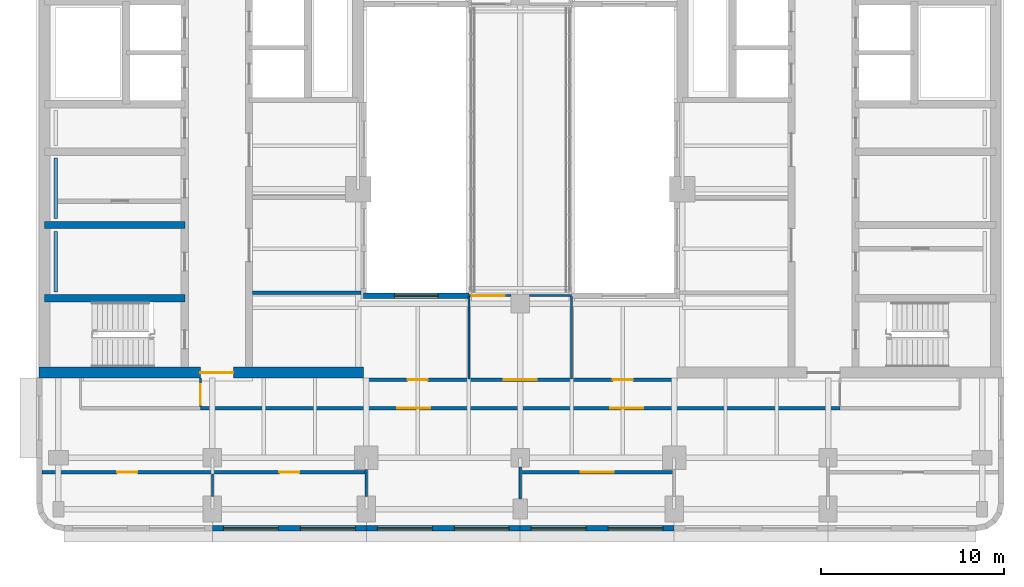
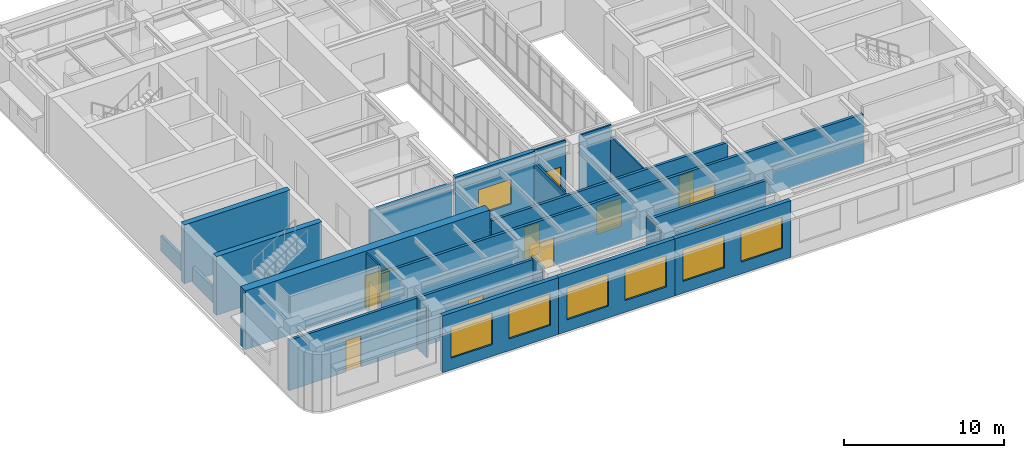
# One storey, part 6 of 14: 22 walls, 11 doors, 7 windows, 18 openings.
"""IFC4 building model written with IfcOpenShell, lengths in metres."""

import ifcopenshell
import ifcopenshell.guid

model = None  # the IFC model being written
_history = None  # IfcOwnerHistory: only IFC2X3 demands one
_inside = {}  # id of a spatial element -> (the spatial element, [elements in it])
_under = {}  # id of a project, library or spatial element -> (it, [spatial elements below it])
_declared = {}  # id of a project -> (the project, [libraries it declares])
_typed = {}  # id of a type object -> (the type object, [elements of that type])
_made_of = {}  # id of a material, layer set ... -> (it, [elements and type objects made of it])


def new_model(schema):
    """Start an empty IFC model of exactly this schema.

    Asked for "IFC4X3", IfcOpenShell would pick the latest addendum, in which some entities
    have other attributes; the version numbers below select the first issue.
    IFC2X3 requires an IfcOwnerHistory on every rooted entity: one is made here for all.
    """
    global model, _history
    if schema == "IFC4X3":
        model = ifcopenshell.file(schema_version=(4, 3, 0, 0))
    else:
        model = ifcopenshell.file(schema=schema)
    _inside.clear()
    _under.clear()
    _declared.clear()
    _typed.clear()
    _made_of.clear()
    _history = None
    if model.schema == "IFC2X3":
        org = make("IfcOrganization", Name="unknown")
        user = make(
            "IfcPersonAndOrganization",
            ThePerson=make("IfcPerson", FamilyName="unknown"),
            TheOrganization=org,
        )
        app = make(
            "IfcApplication",
            ApplicationDeveloper=org,
            Version="unknown",
            ApplicationFullName="unknown",
            ApplicationIdentifier="unknown",
        )
        _history = make(
            "IfcOwnerHistory",
            OwningUser=user,
            OwningApplication=app,
            ChangeAction="ADDED",
            CreationDate=0,
        )
    return model


def make(cls, **values):
    """One entity of the class cls with the attributes given. An attribute that is None is left unset."""
    return model.create_entity(
        cls, **{name: value for name, value in values.items() if value is not None}
    )


def rooted(cls, **values):
    """An entity with a GlobalId (a new one), such as an element, a storey or a relation."""
    return make(cls, GlobalId=ifcopenshell.guid.new(), OwnerHistory=_history, **values)


def si_unit(unit_type, name, prefix=None):
    """IfcSIUnit, for example si_unit("LENGTHUNIT", "METRE", prefix="MILLI")."""
    return make("IfcSIUnit", UnitType=unit_type, Prefix=prefix, Name=name)


def assignment(units):
    """IfcUnitAssignment: the units of a project."""
    return None if units is None else make("IfcUnitAssignment", Units=units)


def point(xyz):
    """IfcCartesianPoint."""
    return None if xyz is None else make("IfcCartesianPoint", Coordinates=xyz)


def direction(xyz):
    """IfcDirection."""
    return None if xyz is None else make("IfcDirection", DirectionRatios=xyz)


def frame(location, z_axis=None, x_axis=None):
    """IfcAxis2Placement3D, a coordinate frame: its origin and axes. An axis left out is left unset."""
    return make(
        "IfcAxis2Placement3D",
        Location=point(location),
        Axis=direction(z_axis),
        RefDirection=direction(x_axis),
    )


def frame_2d(location, x_axis=None):
    """IfcAxis2Placement2D, a coordinate frame in the plane: its origin and x axis."""
    return make(
        "IfcAxis2Placement2D", Location=point(location), RefDirection=direction(x_axis)
    )


def origin():
    """The frame at (0, 0, 0) with its axes left unset."""
    return frame((0.0, 0.0, 0.0))


def place(relative_to, where):
    """IfcLocalPlacement: puts the frame where relative to a parent placement (None: the world)."""
    return make(
        "IfcLocalPlacement", PlacementRelTo=relative_to, RelativePlacement=where
    )


def context(
    kind, dimensions, precision=None, world=None, true_north=None, identifier=None
):
    """IfcGeometricRepresentationContext, for example the 3D "Model" context."""
    return make(
        "IfcGeometricRepresentationContext",
        ContextIdentifier=identifier,
        ContextType=kind,
        CoordinateSpaceDimension=dimensions,
        Precision=precision,
        WorldCoordinateSystem=world,
        TrueNorth=true_north,
    )


def subcontext(parent, identifier, kind, view, scale=None):
    """IfcGeometricRepresentationSubContext, for example "Body" below "Model"."""
    return make(
        "IfcGeometricRepresentationSubContext",
        ContextIdentifier=identifier,
        ContextType=kind,
        ParentContext=parent,
        TargetScale=scale,
        TargetView=view,
    )


def project(units=None, contexts=None):
    """IfcProject with its units and contexts."""
    return rooted(
        "IfcProject",
        Name="project",
        RepresentationContexts=contexts,
        UnitsInContext=assignment(units),
    )


def spatial(cls, under=None, at=None, **own):
    """A site, building, storey or space (cls), placed at a placement, below another one or the project."""
    s = rooted(cls, ObjectPlacement=at, **own)
    if under is not None:
        _under.setdefault(under.id(), (under, []))[1].append(s)
    return s


def profile(cls, at=None, kind="AREA", **sizes):
    """A parametric profile (cls). Its sizes go by their IFC names, for example OverallWidth=200.0."""
    return make(cls, ProfileType=kind, Position=at, **sizes)


def rectangle(**sizes):
    """IfcRectangleProfileDef."""
    return profile("IfcRectangleProfileDef", **sizes)


def extrude(swept, where, along, depth):
    """IfcExtrudedAreaSolid: the profile swept, set in the frame where, extruded along a direction by depth."""
    return make(
        "IfcExtrudedAreaSolid",
        SweptArea=swept,
        Position=where,
        ExtrudedDirection=direction(along),
        Depth=depth,
    )


def shape(context_of_items, identifier, shape_type, items):
    """IfcShapeRepresentation: the items that make up one representation, for example the "Body"."""
    return make(
        "IfcShapeRepresentation",
        ContextOfItems=context_of_items,
        RepresentationIdentifier=identifier,
        RepresentationType=shape_type,
        Items=items,
    )


def material(Name=None, Category=None):
    """IfcMaterial."""
    return make("IfcMaterial", Name=Name, Category=Category)


def layer(
    of_material, thickness, ventilated=None, Name=None, Category=None, Priority=None
):
    """IfcMaterialLayer: one layer of a wall or slab, of a material (None: an air gap)."""
    return make(
        "IfcMaterialLayer",
        Material=of_material,
        LayerThickness=thickness,
        IsVentilated=ventilated,
        Name=Name,
        Category=Category,
        Priority=Priority,
    )


def layer_set(layers, Name=None):
    """IfcMaterialLayerSet."""
    return make("IfcMaterialLayerSet", MaterialLayers=layers, LayerSetName=Name)


def made_of(thing, what):
    """Note that an element or type object is made of a material, layer set ...; save() writes the relation."""
    if what is not None:
        _made_of.setdefault(what.id(), (what, []))[1].append(thing)
    return thing


def type_object(cls, material=None, **own):
    """A type object (cls), such as IfcWallType, which elements share."""
    return made_of(rooted(cls, **own), material)


def element(
    cls,
    number,
    at=None,
    inside=None,
    cuts=None,
    type_object=None,
    material=None,
    context=None,
    identifier="Body",
    shape_type=None,
    held_by="IfcProductDefinitionShape",
    body=None,
    shapes=None,
    **own,
):
    """One element of the class cls, such as IfcWall. Its Tag is "e" and its number.

    at: its placement. inside: the storey or other place that contains it. cuts: it is an
    opening in that element (IfcRelVoidsElement). A single representation is given by context,
    identifier, shape_type and body (its items); several are given by shapes. held_by: the class
    of the entity that holds the representations. save() writes the other relations.
    """
    e = rooted(cls, Tag="e%d" % number, ObjectPlacement=at, **own)
    if body is not None:
        shapes = [shape(context, identifier, shape_type, body)]
    if shapes is not None:
        e.Representation = make(held_by, Representations=shapes)
    if inside is not None:
        _inside.setdefault(inside.id(), (inside, []))[1].append(e)
    if cuts is not None:
        rooted(
            "IfcRelVoidsElement", RelatingBuildingElement=cuts, RelatedOpeningElement=e
        )
    if type_object is not None:
        _typed.setdefault(type_object.id(), (type_object, []))[1].append(e)
    return made_of(e, material)


def fill(opening, filler):
    """IfcRelFillsElement: the door or window that sits in an opening."""
    return rooted(
        "IfcRelFillsElement",
        RelatingOpeningElement=opening,
        RelatedBuildingElement=filler,
    )


def aggregate(whole, parts):
    """IfcRelAggregates: a whole, such as a stair, and the parts it consists of."""
    return rooted("IfcRelAggregates", RelatingObject=whole, RelatedObjects=parts)


def save(model, path):
    """Write the relations noted so far, then the file.

    IfcRelAggregates (storeys below a building ...), IfcRelContainedInSpatialStructure (elements
    in a storey), IfcRelDefinesByType, IfcRelAssociatesMaterial and IfcRelDeclares: one each for
    every whole, place, type object, material and project.
    """
    for whole, parts in _under.values():
        aggregate(whole, parts)
    for where, things in _inside.values():
        rooted(
            "IfcRelContainedInSpatialStructure",
            RelatedElements=things,
            RelatingStructure=where,
        )
    for kind, things in _typed.values():
        rooted("IfcRelDefinesByType", RelatedObjects=things, RelatingType=kind)
    for what, things in _made_of.values():
        rooted("IfcRelAssociatesMaterial", RelatedObjects=things, RelatingMaterial=what)
    for by, libraries in _declared.values():
        rooted("IfcRelDeclares", RelatingContext=by, RelatedDefinitions=libraries)
    model.write(path)


model = new_model("IFC4")

# Units and contexts
model_context = context("Model", 3, precision=1e-05, world=origin(), true_north=direction((0.0, 1.0)))
body_context = subcontext(model_context, "Body", "Model", "MODEL_VIEW")
ifc_project = project(units=[si_unit("LENGTHUNIT", "METRE"), si_unit("AREAUNIT", "SQUARE_METRE"), si_unit("VOLUMEUNIT", "CUBIC_METRE"), si_unit("PLANEANGLEUNIT", "RADIAN"), si_unit("MASSUNIT", "GRAM", prefix="KILO")], contexts=[model_context])

# Site, building, storey
site_placement = place(None, origin())
site = spatial("IfcSite", under=ifc_project, at=site_placement, CompositionType="ELEMENT")
building_placement = place(site_placement, origin())
building = spatial("IfcBuilding", under=site, at=building_placement, Name="Claustro Exchange Tower", CompositionType="ELEMENT")
storey_placement = place(building_placement, frame((0.0, 0.0, 250.199951171875)))
storey = spatial("IfcBuildingStorey", under=building, at=storey_placement, Name="L57", CompositionType="ELEMENT", Elevation=250.199951171875)

# Wall, opening, door
ifc_material_1 = material(Name="Aluminium frame, clear double glazing", Category="aluminium")
ifc_layer_1 = layer(ifc_material_1, 0.1201171875)
ifc_layer_set_1 = layer_set([ifc_layer_1], Name="Aluminium frame, clear double glazing")
wall_type_1 = type_object("IfcWallType", Name="GS2 120 glazed bridge screen", PredefinedType="SOLIDWALL", material=ifc_layer_set_1)
wall_1_placement = place(storey_placement, frame((22.39990234375, 17.25, 0.0), z_axis=(0.0, 0.0, 1.0), x_axis=(1.0, 0.0, 0.0)))
wall_1 = element("IfcWall", 1, at=wall_1_placement, inside=storey, type_object=wall_type_1, Name="Bridge screen GS2 L57", PredefinedType="SOLIDWALL", context=body_context, shape_type="SweptSolid", body=[
    extrude(rectangle(XDim=2.300048828125, YDim=0.1201171875, at=frame_2d((1.14990234375, 0.0))), origin(), (0.0, 0.0, 1.0), 4.35009765625),
])
opening_1_placement = place(wall_1_placement, frame((0.14990234375, 0.0, 0.0)))
opening_1 = element("IfcOpeningElement", 2, at=opening_1_placement, cuts=wall_1, Name="Opening DE4", PredefinedType="OPENING", context=body_context, shape_type="SweptSolid", body=[
    extrude(rectangle(XDim=1.800048828125, YDim=2.39990234375, at=frame_2d((0.89990234375, 1.199951171875))), frame((0.0, 0.070068359375, 0.0), z_axis=(0.0, -1.0, 0.0), x_axis=(1.0, 0.0, 0.0)), (0.0, 0.0, 1.0), 0.14013671875),
])
ifc_material_2 = material(Name="Aluminium frame, clear double glazing", Category="aluminium")
door_type_1 = type_object("IfcDoorType", Name="DE4 1800 x 2400 sky bridge glazed double door", OperationType="DOUBLE_DOOR_SINGLE_SWING", PredefinedType="DOOR", material=ifc_material_2)
door_1_placement = place(opening_1_placement, origin())
door_1 = element("IfcDoor", 3, at=door_1_placement, inside=storey, type_object=door_type_1, Name="Sky bridge door DE4 L57", OperationType="DOUBLE_DOOR_SINGLE_SWING", OverallHeight=2.39990234375, OverallWidth=1.800048828125, PredefinedType="DOOR", context=body_context, shape_type="SweptSolid", body=[
    extrude(rectangle(XDim=1.800048828125, YDim=2.39990234375, at=frame_2d((0.89990234375, 1.199951171875))), frame((0.0, 0.02490234375, 0.0), z_axis=(0.0, -1.0, 0.0), x_axis=(1.0, 0.0, 0.0)), (0.0, 0.0, 1.0), 0.050048828125),
])
fill(opening_1, door_1)

# Walls
wall_2_placement = place(storey_placement, frame((25.699951171875, 17.25, 0.0), z_axis=(0.0, 0.0, 1.0), x_axis=(1.0, 0.0, 0.0)))
element("IfcWall", 4, at=wall_2_placement, inside=storey, type_object=wall_type_1, Name="Bridge screen GS2 L57", PredefinedType="SOLIDWALL", context=body_context, shape_type="SweptSolid", body=[
    extrude(rectangle(XDim=2.300048828125, YDim=0.1201171875, at=frame_2d((1.14990234375, 0.0))), origin(), (0.0, 0.0, 1.0), 4.35009765625),
])
ifc_material_3 = material(Name="Laminated glass in aluminium frame", Category="aluminium")
ifc_layer_2 = layer(ifc_material_3, 0.1201171875)
ifc_layer_set_2 = layer_set([ifc_layer_2], Name="Laminated glass in aluminium frame")
wall_type_2 = type_object("IfcWallType", Name="P2 120 glazed partition", PredefinedType="PARTITIONING", material=ifc_layer_set_2)
wall_3_placement = place(storey_placement, frame((8.39990234375, 6.299072265625, 0.0), z_axis=(0.0, 0.0, 1.0), x_axis=(0.0, 1.0, 0.0)))
element("IfcWall", 5, at=wall_3_placement, inside=storey, type_object=wall_type_2, Name="Partition P2 L57", PredefinedType="PARTITIONING", context=body_context, shape_type="SweptSolid", body=[
    extrude(rectangle(XDim=1.202880859375, YDim=0.1201171875, at=frame_2d((0.6015625, 0.0))), origin(), (0.0, 0.0, 1.0), 3.989990234375),
])
wall_4_placement = place(storey_placement, frame((16.800048828125, 6.299072265625, 0.0), z_axis=(0.0, 0.0, 1.0), x_axis=(0.0, 1.0, 0.0)))
element("IfcWall", 6, at=wall_4_placement, inside=storey, type_object=wall_type_2, Name="Partition P2 L57", PredefinedType="PARTITIONING", context=body_context, shape_type="SweptSolid", body=[
    extrude(rectangle(XDim=1.452880859375, YDim=0.1201171875, at=frame_2d((0.7265625, 0.0))), origin(), (0.0, 0.0, 1.0), 3.989990234375),
])
wall_5_placement = place(storey_placement, frame((25.199951171875, 6.14892578125, 0.0), z_axis=(0.0, 0.0, 1.0), x_axis=(0.0, 1.0, 0.0)))
element("IfcWall", 7, at=wall_5_placement, inside=storey, type_object=wall_type_2, Name="Partition P2 L57", PredefinedType="PARTITIONING", context=body_context, shape_type="SweptSolid", body=[
    extrude(rectangle(XDim=1.753173828125, YDim=0.1201171875, at=frame_2d((0.87646484375, 0.0))), origin(), (0.0, 0.0, 1.0), 3.989990234375),
])

# Wall, opening, door
wall_6_placement = place(storey_placement, frame((7.75, 11.197998046875, 0.0), z_axis=(0.0, 0.0, 1.0), x_axis=(0.0, 1.0, 0.0)))
wall_6 = element("IfcWall", 8, at=wall_6_placement, inside=storey, type_object=wall_type_2, Name="Partition P2 L57", PredefinedType="PARTITIONING", context=body_context, shape_type="SweptSolid", body=[
    extrude(rectangle(XDim=1.553955078125, YDim=0.1201171875, at=frame_2d((0.77685546875, 0.0))), origin(), (0.0, 0.0, 1.0), 4.35009765625),
])
opening_2_placement = place(wall_6_placement, frame((0.10205078125, 0.0, 0.0)))
opening_2 = element("IfcOpeningElement", 9, at=opening_2_placement, cuts=wall_6, Name="Opening D8", PredefinedType="OPENING", context=body_context, shape_type="SweptSolid", body=[
    extrude(rectangle(XDim=1.10009765625, YDim=2.39990234375, at=frame_2d((0.550048828125, 1.199951171875))), frame((0.0, 0.070068359375, 0.0), z_axis=(0.0, -1.0, 0.0), x_axis=(1.0, 0.0, 0.0)), (0.0, 0.0, 1.0), 0.14013671875),
])
ifc_material_4 = material(Name="Timber door, walnut veneer", Category="wood")
door_type_2 = type_object("IfcDoorType", Name="D8 1100 x 2400 executive door", OperationType="SINGLE_SWING_LEFT", PredefinedType="DOOR", material=ifc_material_4)
door_2_placement = place(opening_2_placement, origin())
door_2 = element("IfcDoor", 10, at=door_2_placement, inside=storey, type_object=door_type_2, Name="Door D8 L57", OperationType="SINGLE_SWING_RIGHT", OverallHeight=2.39990234375, OverallWidth=1.10009765625, PredefinedType="DOOR", context=body_context, shape_type="SweptSolid", body=[
    extrude(rectangle(XDim=1.10009765625, YDim=2.39990234375, at=frame_2d((0.550048828125, 1.199951171875))), frame((0.0, 0.02490234375, 0.0), z_axis=(0.0, -1.0, 0.0), x_axis=(1.0, 0.0, 0.0)), (0.0, 0.0, 1.0), 0.050048828125),
])
fill(opening_2, door_2)

# Walls
for number, where, z_axis, x_axis, name in (
    (11, (22.39990234375, 12.697998046875, 0.0), (0.0, 0.0, 1.0), (0.0, 1.0, 0.0), "Partition P2 L57"),
    (12, (28.0, 12.697998046875, 0.0), (0.0, 0.0, 1.0), (0.0, 1.0, 0.0), "Partition P2 L57"),
):
    element("IfcWall", number, at=place(storey_placement, frame(where, z_axis=z_axis, x_axis=x_axis)), inside=storey, type_object=wall_type_2, Name=name, PredefinedType="PARTITIONING", context=body_context, shape_type="SweptSolid", body=[
        extrude(rectangle(XDim=4.493896484375, YDim=0.1201171875, at=frame_2d((2.2470703125, 0.0))), origin(), (0.0, 0.0, 1.0), 3.5),
    ])
ifc_material_5 = material(Name="Twin-skin gypsum board on steel studs, mineral wool", Category="steel")
ifc_layer_3 = layer(ifc_material_5, 0.199951171875)
ifc_layer_set_3 = layer_set([ifc_layer_3], Name="Twin-skin gypsum board on steel studs, mineral wool")
wall_type_3 = type_object("IfcWallType", Name="P3 200 acoustic partition", PredefinedType="PARTITIONING", material=ifc_layer_set_3)
wall_7_placement = place(storey_placement, frame((10.597900390625, 17.39990234375, 0.0), z_axis=(0.0, 0.0, 1.0), x_axis=(1.0, 0.0, 0.0)))
element("IfcWall", 13, at=wall_7_placement, inside=storey, type_object=wall_type_3, Name="Partition P3 L57", PredefinedType="PARTITIONING", context=body_context, shape_type="SweptSolid", body=[
    extrude(rectangle(XDim=5.904052734375, YDim=0.199951171875, at=frame_2d((2.9521484375, 0.0))), origin(), (0.0, 0.0, 1.0), 3.800048828125),
])

# Wall, openings, doors
wall_8_placement = place(storey_placement, frame((-0.902099609375, 7.60009765625, 0.0), z_axis=(0.0, 0.0, 1.0), x_axis=(1.0, 0.0, 0.0)))
wall_8 = element("IfcWall", 14, at=wall_8_placement, inside=storey, type_object=wall_type_3, Name="Partition P3 L57", PredefinedType="PARTITIONING", context=body_context, shape_type="SweptSolid", body=[
    extrude(rectangle(XDim=17.7021484375, YDim=0.199951171875, at=frame_2d((8.85107421875, 0.0))), origin(), (0.0, 0.0, 1.0), 3.860107421875),
])
opening_3_placement = place(wall_8_placement, frame((4.10205078125, 0.0, 0.0)))
opening_3 = element("IfcOpeningElement", 15, at=opening_3_placement, cuts=wall_8, Name="Opening D8", PredefinedType="OPENING", context=body_context, shape_type="SweptSolid", body=[
    extrude(rectangle(XDim=1.10009765625, YDim=2.39990234375, at=frame_2d((0.550048828125, 1.199951171875))), frame((0.0, 0.10986328125, 0.0), z_axis=(0.0, -1.0, 0.0), x_axis=(1.0, 0.0, 0.0)), (0.0, 0.0, 1.0), 0.219970703125),
])
opening_4_placement = place(wall_8_placement, frame((12.951904296875, 0.0, 0.0)))
opening_4 = element("IfcOpeningElement", 16, at=opening_4_placement, cuts=wall_8, Name="Opening D8", PredefinedType="OPENING", context=body_context, shape_type="SweptSolid", body=[
    extrude(rectangle(XDim=1.10009765625, YDim=2.39990234375, at=frame_2d((0.550048828125, 1.199951171875))), frame((0.0, 0.10986328125, 0.0), z_axis=(0.0, -1.0, 0.0), x_axis=(1.0, 0.0, 0.0)), (0.0, 0.0, 1.0), 0.219970703125),
])
door_3_placement = place(opening_3_placement, frame((1.10009765625, 0.0, 0.0), z_axis=(0.0, 0.0, 1.0), x_axis=(-1.0, 0.0, 0.0)))
door_3 = element("IfcDoor", 17, at=door_3_placement, inside=storey, type_object=door_type_2, Name="Door D8 L57", OperationType="SINGLE_SWING_LEFT", OverallHeight=2.39990234375, OverallWidth=1.10009765625, PredefinedType="DOOR", context=body_context, shape_type="SweptSolid", body=[
    extrude(rectangle(XDim=1.10009765625, YDim=2.39990234375, at=frame_2d((0.550048828125, 1.199951171875))), frame((0.0, 0.02490234375, 0.0), z_axis=(0.0, -1.0, 0.0), x_axis=(1.0, 0.0, 0.0)), (0.0, 0.0, 1.0), 0.050048828125),
])
fill(opening_3, door_3)
door_4_placement = place(opening_4_placement, frame((1.10009765625, 0.0, 0.0), z_axis=(0.0, 0.0, 1.0), x_axis=(-1.0, 0.0, 0.0)))
door_4 = element("IfcDoor", 18, at=door_4_placement, inside=storey, type_object=door_type_2, Name="Door D8 L57", OperationType="SINGLE_SWING_RIGHT", OverallHeight=2.39990234375, OverallWidth=1.10009765625, PredefinedType="DOOR", context=body_context, shape_type="SweptSolid", body=[
    extrude(rectangle(XDim=1.10009765625, YDim=2.39990234375, at=frame_2d((0.550048828125, 1.199951171875))), frame((0.0, 0.02490234375, 0.0), z_axis=(0.0, -1.0, 0.0), x_axis=(1.0, 0.0, 0.0)), (0.0, 0.0, 1.0), 0.050048828125),
])
fill(opening_4, door_4)

# Wall, opening, door
wall_9_placement = place(storey_placement, frame((25.199951171875, 7.60009765625, 0.0), z_axis=(0.0, 0.0, 1.0), x_axis=(1.0, 0.0, 0.0)))
wall_9 = element("IfcWall", 19, at=wall_9_placement, inside=storey, type_object=wall_type_3, Name="Partition P3 L57", PredefinedType="PARTITIONING", context=body_context, shape_type="SweptSolid", body=[
    extrude(rectangle(XDim=8.400146484375, YDim=0.199951171875, at=frame_2d((4.2001953125, 0.0))), origin(), (0.0, 0.0, 1.0), 3.989990234375),
])
opening_5_placement = place(wall_9_placement, frame((3.300048828125, 0.0, 0.0)))
opening_5 = element("IfcOpeningElement", 20, at=opening_5_placement, cuts=wall_9, Name="Opening D2", PredefinedType="OPENING", context=body_context, shape_type="SweptSolid", body=[
    extrude(rectangle(XDim=1.800048828125, YDim=2.199951171875, at=frame_2d((0.89990234375, 1.10009765625))), frame((0.0, 0.10986328125, 0.0), z_axis=(0.0, -1.0, 0.0), x_axis=(1.0, 0.0, 0.0)), (0.0, 0.0, 1.0), 0.219970703125),
])
ifc_material_6 = material(Name="Timber door, oak veneer", Category="wood")
door_type_3 = type_object("IfcDoorType", Name="D2 1800 x 2200 double door", OperationType="DOUBLE_DOOR_SINGLE_SWING", PredefinedType="DOOR", material=ifc_material_6)
door_5_placement = place(opening_5_placement, frame((1.800048828125, 0.0, 0.0), z_axis=(0.0, 0.0, 1.0), x_axis=(-1.0, 0.0, 0.0)))
door_5 = element("IfcDoor", 21, at=door_5_placement, inside=storey, type_object=door_type_3, Name="Double door D2 L57", OperationType="DOUBLE_DOOR_SINGLE_SWING", OverallHeight=2.199951171875, OverallWidth=1.800048828125, PredefinedType="DOOR", context=body_context, shape_type="SweptSolid", body=[
    extrude(rectangle(XDim=1.800048828125, YDim=2.199951171875, at=frame_2d((0.89990234375, 1.10009765625))), frame((0.0, 0.02490234375, 0.0), z_axis=(0.0, -1.0, 0.0), x_axis=(1.0, 0.0, 0.0)), (0.0, 0.0, 1.0), 0.050048828125),
])
fill(opening_5, door_5)

# Wall, openings, doors
wall_10_placement = place(storey_placement, frame((7.748046875, 11.10009765625, 0.0), z_axis=(0.0, 0.0, 1.0), x_axis=(1.0, 0.0, 0.0)))
wall_10 = element("IfcWall", 22, at=wall_10_placement, inside=storey, type_object=wall_type_3, Name="Partition P3 L57", PredefinedType="PARTITIONING", context=body_context, shape_type="SweptSolid", body=[
    extrude(rectangle(XDim=34.904052734375, YDim=0.199951171875, at=frame_2d((17.4521484375, 0.0))), origin(), (0.0, 0.0, 1.0), 3.800048828125),
])
opening_6_placement = place(wall_10_placement, frame((10.7353515625, 0.0, 0.0)))
opening_6 = element("IfcOpeningElement", 23, at=opening_6_placement, cuts=wall_10, Name="Opening D2", PredefinedType="OPENING", context=body_context, shape_type="SweptSolid", body=[
    extrude(rectangle(XDim=1.800048828125, YDim=2.199951171875, at=frame_2d((0.89990234375, 1.10009765625))), frame((0.0, 0.10986328125, 0.0), z_axis=(0.0, -1.0, 0.0), x_axis=(1.0, 0.0, 0.0)), (0.0, 0.0, 1.0), 0.219970703125),
])
opening_7_placement = place(wall_10_placement, frame((22.36865234375, 0.0, 0.0)))
opening_7 = element("IfcOpeningElement", 24, at=opening_7_placement, cuts=wall_10, Name="Opening D2", PredefinedType="OPENING", context=body_context, shape_type="SweptSolid", body=[
    extrude(rectangle(XDim=1.800048828125, YDim=2.199951171875, at=frame_2d((0.89990234375, 1.10009765625))), frame((0.0, 0.10986328125, 0.0), z_axis=(0.0, -1.0, 0.0), x_axis=(1.0, 0.0, 0.0)), (0.0, 0.0, 1.0), 0.219970703125),
])
door_6_placement = place(opening_6_placement, origin())
door_6 = element("IfcDoor", 25, at=door_6_placement, inside=storey, type_object=door_type_3, Name="Double door D2 L57", OperationType="DOUBLE_DOOR_SINGLE_SWING", OverallHeight=2.199951171875, OverallWidth=1.800048828125, PredefinedType="DOOR", context=body_context, shape_type="SweptSolid", body=[
    extrude(rectangle(XDim=1.800048828125, YDim=2.199951171875, at=frame_2d((0.89990234375, 1.10009765625))), frame((0.0, 0.02490234375, 0.0), z_axis=(0.0, -1.0, 0.0), x_axis=(1.0, 0.0, 0.0)), (0.0, 0.0, 1.0), 0.050048828125),
])
fill(opening_6, door_6)
door_7_placement = place(opening_7_placement, origin())
door_7 = element("IfcDoor", 26, at=door_7_placement, inside=storey, type_object=door_type_3, Name="Double door D2 L57", OperationType="DOUBLE_DOOR_SINGLE_SWING", OverallHeight=2.199951171875, OverallWidth=1.800048828125, PredefinedType="DOOR", context=body_context, shape_type="SweptSolid", body=[
    extrude(rectangle(XDim=1.800048828125, YDim=2.199951171875, at=frame_2d((0.89990234375, 1.10009765625))), frame((0.0, 0.02490234375, 0.0), z_axis=(0.0, -1.0, 0.0), x_axis=(1.0, 0.0, 0.0)), (0.0, 0.0, 1.0), 0.050048828125),
])
fill(opening_7, door_7)

wall_11_placement = place(storey_placement, frame((16.64990234375, 12.64990234375, 0.0), z_axis=(0.0, 0.0, 1.0), x_axis=(1.0, 0.0, 0.0)))
wall_11 = element("IfcWall", 27, at=wall_11_placement, inside=storey, type_object=wall_type_3, Name="Partition P3 L57", PredefinedType="PARTITIONING", context=body_context, shape_type="SweptSolid", body=[
    extrude(rectangle(XDim=17.10009765625, YDim=0.199951171875, at=frame_2d((8.550048828125, 0.0))), origin(), (0.0, 0.0, 1.0), 3.800048828125),
])
opening_8_placement = place(wall_11_placement, frame((2.400390625, 0.0, 0.0)))
opening_8 = element("IfcOpeningElement", 28, at=opening_8_placement, cuts=wall_11, Name="Opening D8", PredefinedType="OPENING", context=body_context, shape_type="SweptSolid", body=[
    extrude(rectangle(XDim=1.10009765625, YDim=2.39990234375, at=frame_2d((0.550048828125, 1.199951171875))), frame((0.0, 0.10986328125, 0.0), z_axis=(0.0, -1.0, 0.0), x_axis=(1.0, 0.0, 0.0)), (0.0, 0.0, 1.0), 0.219970703125),
])
opening_9_placement = place(wall_11_placement, frame((7.650146484375, 0.0, 0.0)))
opening_9 = element("IfcOpeningElement", 29, at=opening_9_placement, cuts=wall_11, Name="Opening D2", PredefinedType="OPENING", context=body_context, shape_type="SweptSolid", body=[
    extrude(rectangle(XDim=1.800048828125, YDim=2.199951171875, at=frame_2d((0.89990234375, 1.10009765625))), frame((0.0, 0.10986328125, 0.0), z_axis=(0.0, -1.0, 0.0), x_axis=(1.0, 0.0, 0.0)), (0.0, 0.0, 1.0), 0.219970703125),
])
opening_10_placement = place(wall_11_placement, frame((13.60009765625, 0.0, 0.0)))
opening_10 = element("IfcOpeningElement", 30, at=opening_10_placement, cuts=wall_11, Name="Opening D8", PredefinedType="OPENING", context=body_context, shape_type="SweptSolid", body=[
    extrude(rectangle(XDim=1.10009765625, YDim=2.39990234375, at=frame_2d((0.550048828125, 1.199951171875))), frame((0.0, 0.10986328125, 0.0), z_axis=(0.0, -1.0, 0.0), x_axis=(1.0, 0.0, 0.0)), (0.0, 0.0, 1.0), 0.219970703125),
])
door_8_placement = place(opening_9_placement, origin())
door_8 = element("IfcDoor", 31, at=door_8_placement, inside=storey, type_object=door_type_3, Name="Double door D2 L57", OperationType="DOUBLE_DOOR_SINGLE_SWING", OverallHeight=2.199951171875, OverallWidth=1.800048828125, PredefinedType="DOOR", context=body_context, shape_type="SweptSolid", body=[
    extrude(rectangle(XDim=1.800048828125, YDim=2.199951171875, at=frame_2d((0.89990234375, 1.10009765625))), frame((0.0, 0.02490234375, 0.0), z_axis=(0.0, -1.0, 0.0), x_axis=(1.0, 0.0, 0.0)), (0.0, 0.0, 1.0), 0.050048828125),
])
fill(opening_9, door_8)
door_9_placement = place(opening_8_placement, frame((1.10009765625, 0.0, 0.0), z_axis=(0.0, 0.0, 1.0), x_axis=(-1.0, 0.0, 0.0)))
door_9 = element("IfcDoor", 32, at=door_9_placement, inside=storey, type_object=door_type_2, Name="Door D8 L57", OperationType="SINGLE_SWING_RIGHT", OverallHeight=2.39990234375, OverallWidth=1.10009765625, PredefinedType="DOOR", context=body_context, shape_type="SweptSolid", body=[
    extrude(rectangle(XDim=1.10009765625, YDim=2.39990234375, at=frame_2d((0.550048828125, 1.199951171875))), frame((0.0, 0.02490234375, 0.0), z_axis=(0.0, -1.0, 0.0), x_axis=(1.0, 0.0, 0.0)), (0.0, 0.0, 1.0), 0.050048828125),
])
fill(opening_8, door_9)
door_10_placement = place(opening_10_placement, origin())
door_10 = element("IfcDoor", 33, at=door_10_placement, inside=storey, type_object=door_type_2, Name="Door D8 L57", OperationType="SINGLE_SWING_RIGHT", OverallHeight=2.39990234375, OverallWidth=1.10009765625, PredefinedType="DOOR", context=body_context, shape_type="SweptSolid", body=[
    extrude(rectangle(XDim=1.10009765625, YDim=2.39990234375, at=frame_2d((0.550048828125, 1.199951171875))), frame((0.0, 0.02490234375, 0.0), z_axis=(0.0, -1.0, 0.0), x_axis=(1.0, 0.0, 0.0)), (0.0, 0.0, 1.0), 0.050048828125),
])
fill(opening_10, door_10)

# Wall, openings, windows
ifc_material_7 = material(Name="Concrete HA-40 (C40/50), precast, white cement, acid-etched", Category="concrete")
ifc_layer_4 = layer(ifc_material_7, 0.300048828125)
ifc_layer_set_4 = layer_set([ifc_layer_4], Name="Concrete HA-40 (C40/50), precast, white cement, acid-etched")
wall_type_4 = type_object("IfcWallType", Name="PC1 300 precast concrete pier panel", PredefinedType="SOLIDWALL", material=ifc_layer_set_4)
wall_12_placement = place(storey_placement, frame((33.60009765625, 4.550048828125, 0.0), z_axis=(0.0, 0.0, 1.0), x_axis=(-1.0, 0.0, 0.0)))
wall_12 = element("IfcWall", 34, at=wall_12_placement, inside=storey, type_object=wall_type_4, Name="Precast pier panel PC1 L57", PredefinedType="SOLIDWALL", context=body_context, shape_type="SweptSolid", body=[
    extrude(rectangle(XDim=8.400146484375, YDim=0.300048828125, at=frame_2d((4.2001953125, 0.0))), origin(), (0.0, 0.0, 1.0), 4.35009765625),
])
opening_11_placement = place(wall_12_placement, frame((0.60009765625, 0.0, 0.89990234375)))
opening_11 = element("IfcOpeningElement", 35, at=opening_11_placement, cuts=wall_12, Name="Opening W3", PredefinedType="OPENING", context=body_context, shape_type="SweptSolid", body=[
    extrude(rectangle(XDim=3.0, YDim=2.39990234375, at=frame_2d((1.5, 1.199951171875))), frame((0.0, 0.159912109375, 0.0), z_axis=(0.0, -1.0, 0.0), x_axis=(1.0, 0.0, 0.0)), (0.0, 0.0, 1.0), 0.320068359375),
])
opening_12_placement = place(wall_12_placement, frame((4.800048828125, 0.0, 0.89990234375)))
opening_12 = element("IfcOpeningElement", 36, at=opening_12_placement, cuts=wall_12, Name="Opening W3", PredefinedType="OPENING", context=body_context, shape_type="SweptSolid", body=[
    extrude(rectangle(XDim=3.0, YDim=2.39990234375, at=frame_2d((1.5, 1.199951171875))), frame((0.0, 0.159912109375, 0.0), z_axis=(0.0, -1.0, 0.0), x_axis=(1.0, 0.0, 0.0)), (0.0, 0.0, 1.0), 0.320068359375),
])
ifc_material_8 = material(Name="Aluminium frame, clear double glazing", Category="aluminium")
window_type_1 = type_object("IfcWindowType", Name="W3 3000 x 2400 window", PartitioningType="SINGLE_PANEL", PredefinedType="WINDOW", material=ifc_material_8)
window_1_placement = place(opening_11_placement, origin())
window_1 = element("IfcWindow", 37, at=window_1_placement, inside=storey, type_object=window_type_1, Name="Window W3 L57", OverallHeight=2.39990234375, OverallWidth=3.0, PartitioningType="SINGLE_PANEL", PredefinedType="WINDOW", context=body_context, shape_type="SweptSolid", body=[
    extrude(rectangle(XDim=3.0, YDim=2.39990234375, at=frame_2d((1.5, 1.199951171875))), frame((0.0, 0.030029296875, 0.0), z_axis=(0.0, -1.0, 0.0), x_axis=(1.0, 0.0, 0.0)), (0.0, 0.0, 1.0), 0.06005859375),
])
fill(opening_11, window_1)
window_2_placement = place(opening_12_placement, origin())
window_2 = element("IfcWindow", 38, at=window_2_placement, inside=storey, type_object=window_type_1, Name="Window W3 L57", OverallHeight=2.39990234375, OverallWidth=3.0, PartitioningType="SINGLE_PANEL", PredefinedType="WINDOW", context=body_context, shape_type="SweptSolid", body=[
    extrude(rectangle(XDim=3.0, YDim=2.39990234375, at=frame_2d((1.5, 1.199951171875))), frame((0.0, 0.030029296875, 0.0), z_axis=(0.0, -1.0, 0.0), x_axis=(1.0, 0.0, 0.0)), (0.0, 0.0, 1.0), 0.06005859375),
])
fill(opening_12, window_2)

wall_13_placement = place(storey_placement, frame((25.199951171875, 4.550048828125, 0.0), z_axis=(0.0, 0.0, 1.0), x_axis=(-1.0, 0.0, 0.0)))
wall_13 = element("IfcWall", 39, at=wall_13_placement, inside=storey, type_object=wall_type_4, Name="Precast pier panel PC1 L57", PredefinedType="SOLIDWALL", context=body_context, shape_type="SweptSolid", body=[
    extrude(rectangle(XDim=8.39990234375, YDim=0.300048828125, at=frame_2d((4.199951171875, 0.0))), origin(), (0.0, 0.0, 1.0), 4.35009765625),
])
opening_13_placement = place(wall_13_placement, frame((0.60009765625, 0.0, 0.89990234375)))
opening_13 = element("IfcOpeningElement", 40, at=opening_13_placement, cuts=wall_13, Name="Opening W3", PredefinedType="OPENING", context=body_context, shape_type="SweptSolid", body=[
    extrude(rectangle(XDim=3.0, YDim=2.39990234375, at=frame_2d((1.5, 1.199951171875))), frame((0.0, 0.159912109375, 0.0), z_axis=(0.0, -1.0, 0.0), x_axis=(1.0, 0.0, 0.0)), (0.0, 0.0, 1.0), 0.320068359375),
])
opening_14_placement = place(wall_13_placement, frame((4.800048828125, 0.0, 0.89990234375)))
opening_14 = element("IfcOpeningElement", 41, at=opening_14_placement, cuts=wall_13, Name="Opening W3", PredefinedType="OPENING", context=body_context, shape_type="SweptSolid", body=[
    extrude(rectangle(XDim=3.0, YDim=2.39990234375, at=frame_2d((1.5, 1.199951171875))), frame((0.0, 0.159912109375, 0.0), z_axis=(0.0, -1.0, 0.0), x_axis=(1.0, 0.0, 0.0)), (0.0, 0.0, 1.0), 0.320068359375),
])
window_3_placement = place(opening_13_placement, origin())
window_3 = element("IfcWindow", 42, at=window_3_placement, inside=storey, type_object=window_type_1, Name="Window W3 L57", OverallHeight=2.39990234375, OverallWidth=3.0, PartitioningType="SINGLE_PANEL", PredefinedType="WINDOW", context=body_context, shape_type="SweptSolid", body=[
    extrude(rectangle(XDim=3.0, YDim=2.39990234375, at=frame_2d((1.5, 1.199951171875))), frame((0.0, 0.030029296875, 0.0), z_axis=(0.0, -1.0, 0.0), x_axis=(1.0, 0.0, 0.0)), (0.0, 0.0, 1.0), 0.06005859375),
])
fill(opening_13, window_3)
window_4_placement = place(opening_14_placement, origin())
window_4 = element("IfcWindow", 43, at=window_4_placement, inside=storey, type_object=window_type_1, Name="Window W3 L57", OverallHeight=2.39990234375, OverallWidth=3.0, PartitioningType="SINGLE_PANEL", PredefinedType="WINDOW", context=body_context, shape_type="SweptSolid", body=[
    extrude(rectangle(XDim=3.0, YDim=2.39990234375, at=frame_2d((1.5, 1.199951171875))), frame((0.0, 0.030029296875, 0.0), z_axis=(0.0, -1.0, 0.0), x_axis=(1.0, 0.0, 0.0)), (0.0, 0.0, 1.0), 0.06005859375),
])
fill(opening_14, window_4)

wall_14_placement = place(storey_placement, frame((16.800048828125, 4.550048828125, 0.0), z_axis=(0.0, 0.0, 1.0), x_axis=(-1.0, 0.0, 0.0)))
wall_14 = element("IfcWall", 44, at=wall_14_placement, inside=storey, type_object=wall_type_4, Name="Precast pier panel PC1 L57", PredefinedType="SOLIDWALL", context=body_context, shape_type="SweptSolid", body=[
    extrude(rectangle(XDim=8.400146484375, YDim=0.300048828125, at=frame_2d((4.2001953125, 0.0))), origin(), (0.0, 0.0, 1.0), 4.35009765625),
])
opening_15_placement = place(wall_14_placement, frame((0.60009765625, 0.0, 0.89990234375)))
opening_15 = element("IfcOpeningElement", 45, at=opening_15_placement, cuts=wall_14, Name="Opening W3", PredefinedType="OPENING", context=body_context, shape_type="SweptSolid", body=[
    extrude(rectangle(XDim=3.0, YDim=2.39990234375, at=frame_2d((1.5, 1.199951171875))), frame((0.0, 0.159912109375, 0.0), z_axis=(0.0, -1.0, 0.0), x_axis=(1.0, 0.0, 0.0)), (0.0, 0.0, 1.0), 0.320068359375),
])
opening_16_placement = place(wall_14_placement, frame((4.800048828125, 0.0, 0.89990234375)))
opening_16 = element("IfcOpeningElement", 46, at=opening_16_placement, cuts=wall_14, Name="Opening W3", PredefinedType="OPENING", context=body_context, shape_type="SweptSolid", body=[
    extrude(rectangle(XDim=3.0, YDim=2.39990234375, at=frame_2d((1.5, 1.199951171875))), frame((0.0, 0.159912109375, 0.0), z_axis=(0.0, -1.0, 0.0), x_axis=(1.0, 0.0, 0.0)), (0.0, 0.0, 1.0), 0.320068359375),
])
window_5_placement = place(opening_15_placement, origin())
window_5 = element("IfcWindow", 47, at=window_5_placement, inside=storey, type_object=window_type_1, Name="Window W3 L57", OverallHeight=2.39990234375, OverallWidth=3.0, PartitioningType="SINGLE_PANEL", PredefinedType="WINDOW", context=body_context, shape_type="SweptSolid", body=[
    extrude(rectangle(XDim=3.0, YDim=2.39990234375, at=frame_2d((1.5, 1.199951171875))), frame((0.0, 0.030029296875, 0.0), z_axis=(0.0, -1.0, 0.0), x_axis=(1.0, 0.0, 0.0)), (0.0, 0.0, 1.0), 0.06005859375),
])
fill(opening_15, window_5)
window_6_placement = place(opening_16_placement, origin())
window_6 = element("IfcWindow", 48, at=window_6_placement, inside=storey, type_object=window_type_1, Name="Window W3 L57", OverallHeight=2.39990234375, OverallWidth=3.0, PartitioningType="SINGLE_PANEL", PredefinedType="WINDOW", context=body_context, shape_type="SweptSolid", body=[
    extrude(rectangle(XDim=3.0, YDim=2.39990234375, at=frame_2d((1.5, 1.199951171875))), frame((0.0, 0.030029296875, 0.0), z_axis=(0.0, -1.0, 0.0), x_axis=(1.0, 0.0, 0.0)), (0.0, 0.0, 1.0), 0.06005859375),
])
fill(opening_16, window_6)

# Wall, opening, window
wall_15_placement = place(storey_placement, frame((16.64990234375, 17.25, 0.0), z_axis=(0.0, 0.0, 1.0), x_axis=(1.0, 0.0, 0.0)))
wall_15 = element("IfcWall", 49, at=wall_15_placement, inside=storey, type_object=wall_type_4, Name="Precast pier panel PC1 L57", PredefinedType="SOLIDWALL", context=body_context, shape_type="SweptSolid", body=[
    extrude(rectangle(XDim=5.75, YDim=0.300048828125, at=frame_2d((2.875, 0.0))), origin(), (0.0, 0.0, 1.0), 4.35009765625),
])
opening_17_placement = place(wall_15_placement, frame((1.675048828125, 0.0, 0.89990234375)))
opening_17 = element("IfcOpeningElement", 50, at=opening_17_placement, cuts=wall_15, Name="Opening W2", PredefinedType="OPENING", context=body_context, shape_type="SweptSolid", body=[
    extrude(rectangle(XDim=2.39990234375, YDim=1.89990234375, at=frame_2d((1.199951171875, 0.949951171875))), frame((0.0, 0.159912109375, 0.0), z_axis=(0.0, -1.0, 0.0), x_axis=(1.0, 0.0, 0.0)), (0.0, 0.0, 1.0), 0.320068359375),
])
ifc_material_9 = material(Name="Aluminium frame, clear double glazing", Category="aluminium")
window_type_2 = type_object("IfcWindowType", Name="W2 2400 x 1900 window", PartitioningType="SINGLE_PANEL", PredefinedType="WINDOW", material=ifc_material_9)
window_7_placement = place(opening_17_placement, origin())
window_7 = element("IfcWindow", 51, at=window_7_placement, inside=storey, type_object=window_type_2, Name="Window W2 L57", OverallHeight=1.89990234375, OverallWidth=2.39990234375, PartitioningType="SINGLE_PANEL", PredefinedType="WINDOW", context=body_context, shape_type="SweptSolid", body=[
    extrude(rectangle(XDim=2.39990234375, YDim=1.89990234375, at=frame_2d((1.199951171875, 0.949951171875))), frame((0.0, 0.030029296875, 0.0), z_axis=(0.0, -1.0, 0.0), x_axis=(1.0, 0.0, 0.0)), (0.0, 0.0, 1.0), 0.06005859375),
])
fill(opening_17, window_7)

# Walls
ifc_material_10 = material(Name="Gypsum board on steel studs, tiled", Category="steel")
ifc_layer_5 = layer(ifc_material_10, 0.199951171875)
ifc_layer_set_5 = layer_set([ifc_layer_5], Name="Gypsum board on steel studs, tiled")
wall_type_5 = type_object("IfcWallType", Name="PW1 200 WC duct wall", PredefinedType="PLUMBINGWALL", material=ifc_layer_set_5)
for number, where, z_axis, x_axis, name in (
    (52, (-0.14990234375, 17.449951171875, 0.0), (0.0, 0.0, 1.0), (0.0, 1.0, 0.0), "WC duct wall PW1 L57"),
    (53, (-0.14990234375, 21.449951171875, 0.0), (0.0, 0.0, 1.0), (0.0, 1.0, 0.0), "WC duct wall PW1 L57"),
):
    element("IfcWall", number, at=place(storey_placement, frame(where, z_axis=z_axis, x_axis=x_axis)), inside=storey, type_object=wall_type_5, Name=name, PredefinedType="PLUMBINGWALL", context=body_context, shape_type="SweptSolid", body=[
        extrude(rectangle(XDim=3.300048828125, YDim=0.199951171875, at=frame_2d((1.64990234375, 0.0))), origin(), (0.0, 0.0, 1.0), 1.199951171875),
    ])

# Wall, opening, door
ifc_material_11 = material(Name="Concrete HA-50 (C50/60)", Category="concrete")
ifc_layer_6 = layer(ifc_material_11, 0.60009765625)
ifc_layer_set_6 = layer_set([ifc_layer_6], Name="Concrete HA-50 (C50/60)")
wall_type_6 = type_object("IfcWallType", Name="SW3 600 core shear wall", PredefinedType="SHEAR", material=ifc_layer_set_6)
wall_16_placement = place(storey_placement, frame((-1.050048828125, 13.050048828125, 0.0), z_axis=(0.0, 0.0, 1.0), x_axis=(1.0, 0.0, 0.0)))
wall_16 = element("IfcWall", 54, at=wall_16_placement, inside=storey, type_object=wall_type_6, Name="Core wall SW3 W core S face L57", PredefinedType="SHEAR", context=body_context, shape_type="SweptSolid", body=[
    extrude(rectangle(XDim=17.699951171875, YDim=0.60009765625, at=frame_2d((8.85009765625, 0.0))), origin(), (0.0, 0.0, 1.0), 4.5),
])
opening_18_placement = place(wall_16_placement, frame((8.800048828125, 0.0, 0.0)))
opening_18 = element("IfcOpeningElement", 55, at=opening_18_placement, cuts=wall_16, Name="Opening D3", PredefinedType="OPENING", context=body_context, shape_type="SweptSolid", body=[
    extrude(rectangle(XDim=1.800048828125, YDim=2.39990234375, at=frame_2d((0.89990234375, 1.199951171875))), frame((0.0, 0.31005859375, 0.0), z_axis=(0.0, -1.0, 0.0), x_axis=(1.0, 0.0, 0.0)), (0.0, 0.0, 1.0), 0.6201171875),
])
ifc_material_12 = material(Name="Steel fire door, painted", Category="steel")
door_type_4 = type_object("IfcDoorType", Name="D3 1800 x 2400 fire-rated lobby double door", OperationType="DOUBLE_DOOR_SINGLE_SWING", PredefinedType="DOOR", material=ifc_material_12)
door_11_placement = place(opening_18_placement, origin())
door_11 = element("IfcDoor", 56, at=door_11_placement, inside=storey, type_object=door_type_4, Name="Lift lobby door D3 L57", OperationType="DOUBLE_DOOR_SINGLE_SWING", OverallHeight=2.39990234375, OverallWidth=1.800048828125, PredefinedType="DOOR", context=body_context, shape_type="SweptSolid", body=[
    extrude(rectangle(XDim=1.800048828125, YDim=2.39990234375, at=frame_2d((0.89990234375, 1.199951171875))), frame((0.0, 0.02490234375, 0.0), z_axis=(0.0, -1.0, 0.0), x_axis=(1.0, 0.0, 0.0)), (0.0, 0.0, 1.0), 0.050048828125),
])
fill(opening_18, door_11)

# Walls
ifc_material_13 = material(Name="Concrete HA-50 (C50/60)", Category="concrete")
ifc_layer_7 = layer(ifc_material_13, 0.39990234375)
ifc_layer_set_7 = layer_set([ifc_layer_7], Name="Concrete HA-50 (C50/60)")
wall_type_7 = type_object("IfcWallType", Name="SW4 400 internal core wall", PredefinedType="SHEAR", material=ifc_layer_set_7)
for number, where, z_axis, x_axis, name in (
    (57, (-0.75, 17.10009765625, 0.0), (0.0, 0.0, 1.0), (1.0, 0.0, 0.0), "Internal core wall SW4 W core L57"),
    (58, (-0.75, 21.10009765625, 0.0), (0.0, 0.0, 1.0), (1.0, 0.0, 0.0), "Internal core wall SW4 W core L57"),
):
    element("IfcWall", number, at=place(storey_placement, frame(where, z_axis=z_axis, x_axis=x_axis)), inside=storey, type_object=wall_type_7, Name=name, PredefinedType="SHEAR", context=body_context, shape_type="SweptSolid", body=[
        extrude(rectangle(XDim=7.64990234375, YDim=0.39990234375, at=frame_2d((3.824951171875, 0.0))), origin(), (0.0, 0.0, 1.0), 4.5),
    ])

save(model, "model.ifc")
